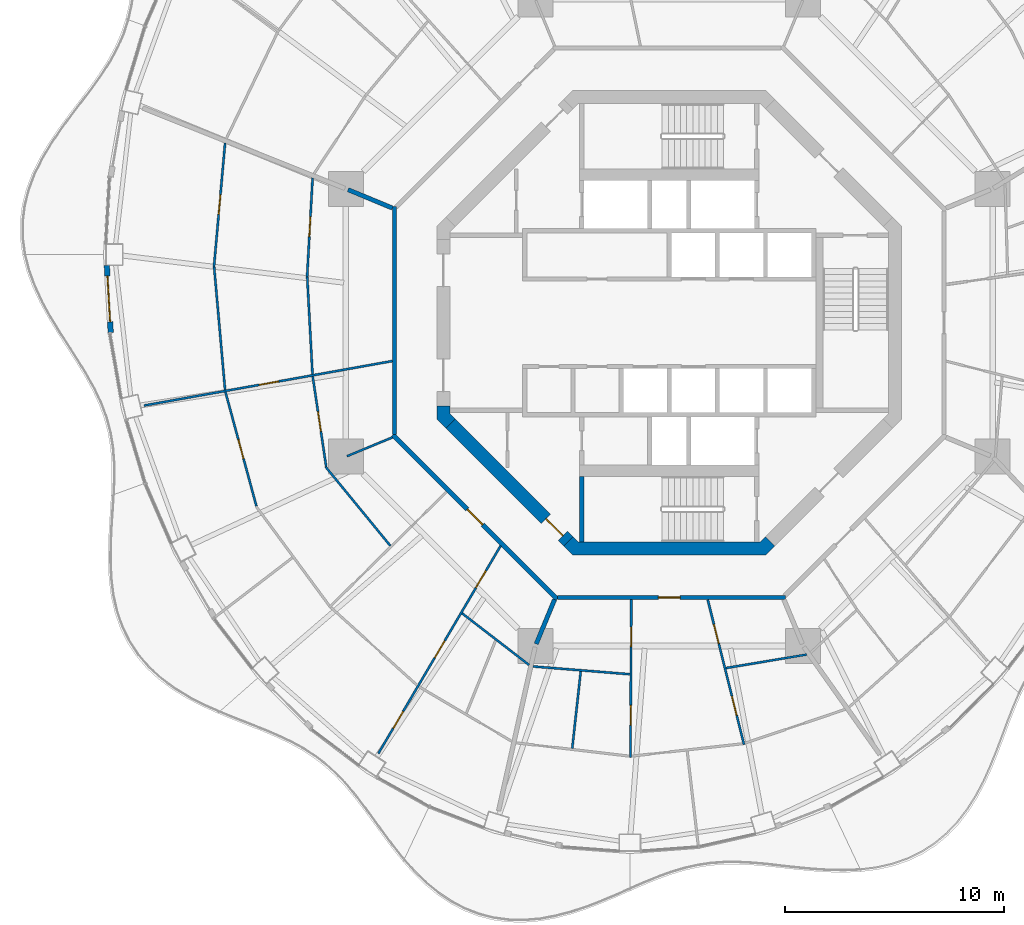
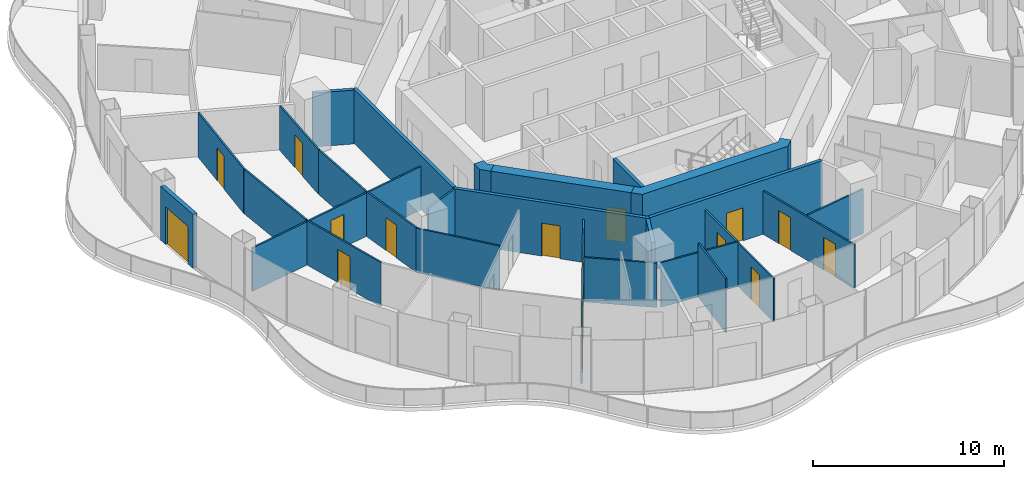
# One storey, part 10 of 18: 26 walls, 16 doors, 16 openings.
"""IFC4 building model written with IfcOpenShell, lengths in metres."""

from ifc_helpers import new_model, si_unit, direction, frame, frame_2d, origin, place, context, subcontext, project, spatial, polyline, rectangle, outline, extrude, material, layer, layer_set, type_object, element, fill, save


model = new_model("IFC4")

# Units and contexts
model_context = context("Model", 3, precision=1e-05, world=origin(), true_north=direction((0.0, 1.0)))
body_context = subcontext(model_context, "Body", "Model", "MODEL_VIEW")
ifc_project = project(units=[si_unit("LENGTHUNIT", "METRE"), si_unit("AREAUNIT", "SQUARE_METRE"), si_unit("VOLUMEUNIT", "CUBIC_METRE"), si_unit("PLANEANGLEUNIT", "RADIAN"), si_unit("MASSUNIT", "GRAM", prefix="KILO")], contexts=[model_context])

# Site, building, storey
site_placement = place(None, origin())
site = spatial("IfcSite", under=ifc_project, at=site_placement, CompositionType="ELEMENT")
building_placement = place(site_placement, origin())
building = spatial("IfcBuilding", under=site, at=building_placement, Name="Nagisa Residences", CompositionType="ELEMENT")
storey_placement = place(building_placement, frame((0.0, 0.0, 230.699951171875)))
storey = spatial("IfcBuildingStorey", under=building, at=storey_placement, Name="L58", CompositionType="ELEMENT", Elevation=230.699951171875)

# Walls
ifc_material_1 = material(Name="Gypsum board on steel studs", Category="steel")
ifc_layer_1 = layer(ifc_material_1, 0.199951171875)
ifc_layer_set_1 = layer_set([ifc_layer_1], Name="Apartment compartment wall EI60 200")
wall_type_1 = type_object("IfcWallType", Name="Apartment compartment wall EI60 200", PredefinedType="PARTITIONING", material=ifc_layer_set_1)
wall_1_placement = place(storey_placement, frame((-12.6572265625, 5.24267578125, 0.0), z_axis=(0.0, 0.0, 1.0), x_axis=(-0.923859888513, 0.38273085373, 0.0)))
element("IfcWall", 1, at=wall_1_placement, inside=storey, type_object=wall_type_1, Name="wall:L58:u02", PredefinedType="PARTITIONING", context=body_context, shape_type="SweptSolid", body=[
    extrude(rectangle(XDim=2.199462890625, YDim=0.199951171875, at=frame_2d((1.099609375, 0.0))), origin(), (0.0, 0.0, 1.0), 3.43994140625),
])
wall_2_placement = place(storey_placement, frame((-5.24267578125, -12.6572265625, 0.0), z_axis=(0.0, 0.0, 1.0), x_axis=(-0.382691608661, -0.923876145736, 0.0)))
element("IfcWall", 2, at=wall_2_placement, inside=storey, type_object=wall_type_1, Name="wall:L58:u04", PredefinedType="PARTITIONING", context=body_context, shape_type="SweptSolid", body=[
    extrude(rectangle(XDim=2.19970703125, YDim=0.199951171875, at=frame_2d((1.099853515625, 0.0))), origin(), (0.0, 0.0, 1.0), 3.43994140625),
])
ifc_material_2 = material(Name="Gypsum board on steel studs", Category="steel")
ifc_layer_2 = layer(ifc_material_2, 0.199951171875)
ifc_layer_set_2 = layer_set([ifc_layer_2], Name="Apartment entry wall EI60 200")
wall_type_2 = type_object("IfcWallType", Name="Apartment entry wall EI60 200", PredefinedType="PARTITIONING", material=ifc_layer_set_2)
wall_3_placement = place(storey_placement, frame((-12.564697265625, 5.304443359375, 0.0), z_axis=(0.0, 0.0, 1.0), x_axis=(0.0, -1.0, 0.0)))
element("IfcWall", 3, at=wall_3_placement, inside=storey, type_object=wall_type_2, Name="wall:L58:u14", PredefinedType="PARTITIONING", context=body_context, shape_type="SweptSolid", body=[
    extrude(rectangle(XDim=10.408935546875, YDim=0.199951171875, at=frame_2d((5.20458984375, 0.0))), origin(), (0.0, 0.0, 1.0), 3.43994140625),
])

# Wall, opening, door
wall_4_placement = place(storey_placement, frame((-12.635498046875, -5.1337890625, 0.0), z_axis=(0.0, 0.0, 1.0), x_axis=(0.707106781187, -0.707106781187, 0.0)))
wall_4 = element("IfcWall", 4, at=wall_4_placement, inside=storey, type_object=wall_type_2, Name="wall:L58:u15", PredefinedType="PARTITIONING", context=body_context, shape_type="SweptSolid", body=[
    extrude(rectangle(XDim=10.609130859375, YDim=0.199951171875, at=frame_2d((5.3046875, 0.0))), origin(), (0.0, 0.0, 1.0), 3.43994140625),
])
opening_1_placement = place(wall_4_placement, frame((4.804443359375, 0.0, 0.0)))
opening_1 = element("IfcOpeningElement", 5, at=opening_1_placement, cuts=wall_4, Name="Opening L58-U01", PredefinedType="OPENING", context=body_context, shape_type="SweptSolid", body=[
    extrude(rectangle(XDim=1.0, YDim=2.10009765625, at=frame_2d((0.5, 1.050048828125))), frame((0.0, 0.10986328125, 0.0), z_axis=(0.0, -1.0, 0.0), x_axis=(1.0, 0.0, 0.0)), (0.0, 0.0, 1.0), 0.219970703125),
])
ifc_material_3 = material(Name="Timber fire door set", Category="wood")
door_type_1 = type_object("IfcDoorType", Name="Apartment entry door FD30S 1000x2100", OperationType="NOTDEFINED", PredefinedType="DOOR", material=ifc_material_3)
door_1_placement = place(opening_1_placement, frame((1.0, 0.0, 0.0), x_axis=(-1.0, 0.0, 0.0)))
door_1 = element("IfcDoor", 6, at=door_1_placement, inside=storey, type_object=door_type_1, Name="Entry door, Apartment 58A", OperationType="SINGLE_SWING_RIGHT", OverallHeight=2.10009765625, OverallWidth=1.0, PredefinedType="DOOR", context=body_context, shape_type="SweptSolid", body=[
    extrude(rectangle(XDim=1.0, YDim=2.10009765625, at=frame_2d((0.5, 1.050048828125))), frame((0.0, 0.02490234375, 0.0), z_axis=(0.0, -1.0, 0.0), x_axis=(1.0, 0.0, 0.0)), (0.0, 0.0, 1.0), 0.050048828125),
])
fill(opening_1, door_1)

wall_5_placement = place(storey_placement, frame((-5.1044921875, -12.564697265625, 0.0), z_axis=(0.0, 0.0, 1.0), x_axis=(1.0, 0.0, 0.0)))
wall_5 = element("IfcWall", 7, at=wall_5_placement, inside=storey, type_object=wall_type_2, Name="wall:L58:u16", PredefinedType="PARTITIONING", context=body_context, shape_type="SweptSolid", body=[
    extrude(rectangle(XDim=10.408935546875, YDim=0.199951171875, at=frame_2d((5.20458984375, 0.0))), origin(), (0.0, 0.0, 1.0), 3.43994140625),
])
opening_2_placement = place(wall_5_placement, frame((4.6044921875, 0.0, 0.0)))
opening_2 = element("IfcOpeningElement", 8, at=opening_2_placement, cuts=wall_5, Name="Opening L58-U14", PredefinedType="OPENING", context=body_context, shape_type="SweptSolid", body=[
    extrude(rectangle(XDim=1.0, YDim=2.10009765625, at=frame_2d((0.5, 1.050048828125))), frame((0.0, 0.10986328125, 0.0), z_axis=(0.0, -1.0, 0.0), x_axis=(1.0, 0.0, 0.0)), (0.0, 0.0, 1.0), 0.219970703125),
])
door_2_placement = place(opening_2_placement, frame((1.0, 0.0, 0.0), x_axis=(-1.0, 0.0, 0.0)))
door_2 = element("IfcDoor", 9, at=door_2_placement, inside=storey, type_object=door_type_1, Name="Entry door, Apartment 58B", OperationType="SINGLE_SWING_LEFT", OverallHeight=2.10009765625, OverallWidth=1.0, PredefinedType="DOOR", context=body_context, shape_type="SweptSolid", body=[
    extrude(rectangle(XDim=1.0, YDim=2.10009765625, at=frame_2d((0.5, 1.050048828125))), frame((0.0, 0.02490234375, 0.0), z_axis=(0.0, -1.0, 0.0), x_axis=(1.0, 0.0, 0.0)), (0.0, 0.0, 1.0), 0.050048828125),
])
fill(opening_2, door_2)

ifc_material_4 = material(Name="Gypsum board on steel studs", Category="steel")
ifc_layer_3 = layer(ifc_material_4, 0.10009765625)
ifc_layer_set_3 = layer_set([ifc_layer_3], Name="Apartment partition 100")
wall_type_3 = type_object("IfcWallType", Name="Apartment partition 100", PredefinedType="PARTITIONING", material=ifc_layer_set_3)
wall_6_placement = place(storey_placement, frame((-16.306884765625, 6.62744140625, 0.0), z_axis=(0.0, 0.0, 1.0), x_axis=(-0.055616130958, -0.998452225185, 0.0)))
wall_6 = element("IfcWall", 10, at=wall_6_placement, inside=storey, type_object=wall_type_3, Name="wall:L58:u58", PredefinedType="PARTITIONING", context=body_context, shape_type="SweptSolid", body=[
    extrude(rectangle(XDim=4.53466796875, YDim=0.10009765625, at=frame_2d((2.267333984375, 0.0))), origin(), (0.0, 0.0, 1.0), 2.837158203125),
])
opening_3_placement = place(wall_6_placement, frame((1.792236328125, 0.0, 0.0)))
opening_3 = element("IfcOpeningElement", 11, at=opening_3_placement, cuts=wall_6, Name="Opening L58-U13", PredefinedType="OPENING", context=body_context, shape_type="SweptSolid", body=[
    extrude(rectangle(XDim=0.89990234375, YDim=2.10009765625, at=frame_2d((0.449951171875, 1.050048828125))), frame((0.0, 0.06005859375, 0.0), z_axis=(0.0, -1.0, 0.0), x_axis=(1.0, 0.0, 0.0)), (0.0, 0.0, 1.0), 0.1201171875),
])
ifc_material_5 = material(Name="Timber door set", Category="wood")
door_type_2 = type_object("IfcDoorType", Name="Apartment door 900x2100", OperationType="NOTDEFINED", PredefinedType="DOOR", material=ifc_material_5)
door_3_placement = place(opening_3_placement, origin())
door_3 = element("IfcDoor", 12, at=door_3_placement, inside=storey, type_object=door_type_2, Name="Door to store, Apartment 58A", OperationType="SINGLE_SWING_LEFT", OverallHeight=2.10009765625, OverallWidth=0.89990234375, PredefinedType="DOOR", context=body_context, shape_type="SweptSolid", body=[
    extrude(rectangle(XDim=0.89990234375, YDim=2.10009765625, at=frame_2d((0.449951171875, 1.050048828125))), frame((0.0, 0.02490234375, 0.0), z_axis=(0.0, -1.0, 0.0), x_axis=(1.0, 0.0, 0.0)), (0.0, 0.0, 1.0), 0.050048828125),
])
fill(opening_3, door_3)

wall_7_placement = place(storey_placement, frame((-20.3095703125, 8.21826171875, 0.0), z_axis=(0.0, 0.0, 1.0), x_axis=(-0.089284106956, -0.996006198899, 0.0)))
wall_7 = element("IfcWall", 13, at=wall_7_placement, inside=storey, type_object=wall_type_3, Name="wall:L58:u59", PredefinedType="PARTITIONING", context=body_context, shape_type="SweptSolid", body=[
    extrude(rectangle(XDim=5.698486328125, YDim=0.10009765625, at=frame_2d((2.84912109375, 0.0))), origin(), (0.0, 0.0, 1.0), 2.837158203125),
])
opening_4_placement = place(wall_7_placement, frame((2.374267578125, 0.0, 0.0)))
opening_4 = element("IfcOpeningElement", 14, at=opening_4_placement, cuts=wall_7, Name="Opening L58-U12", PredefinedType="OPENING", context=body_context, shape_type="SweptSolid", body=[
    extrude(rectangle(XDim=0.89990234375, YDim=2.10009765625, at=frame_2d((0.449951171875, 1.050048828125))), frame((0.0, 0.06005859375, 0.0), z_axis=(0.0, -1.0, 0.0), x_axis=(1.0, 0.0, 0.0)), (0.0, 0.0, 1.0), 0.1201171875),
])
door_4_placement = place(opening_4_placement, frame((0.89990234375, 0.0, 0.0), x_axis=(-1.0, 0.0, 0.0)))
door_4 = element("IfcDoor", 15, at=door_4_placement, inside=storey, type_object=door_type_2, Name="Door to family room, Apartment 58A", OperationType="SINGLE_SWING_LEFT", OverallHeight=2.10009765625, OverallWidth=0.89990234375, PredefinedType="DOOR", context=body_context, shape_type="SweptSolid", body=[
    extrude(rectangle(XDim=0.89990234375, YDim=2.10009765625, at=frame_2d((0.449951171875, 1.050048828125))), frame((0.0, 0.02490234375, 0.0), z_axis=(0.0, -1.0, 0.0), x_axis=(1.0, 0.0, 0.0)), (0.0, 0.0, 1.0), 0.050048828125),
])
fill(opening_4, door_4)

# Walls
wall_8_placement = place(storey_placement, frame((-16.5537109375, 2.099853515625, 0.0), z_axis=(0.0, 0.0, 1.0), x_axis=(0.053945770239, -0.998543866775, 0.0)))
element("IfcWall", 16, at=wall_8_placement, inside=storey, type_object=wall_type_3, Name="wall:L58:u60", PredefinedType="PARTITIONING", context=body_context, shape_type="SweptSolid", body=[
    extrude(rectangle(XDim=4.46240234375, YDim=0.10009765625, at=frame_2d((2.231201171875, 0.0))), origin(), (0.0, 0.0, 1.0), 2.837158203125),
])
wall_9_placement = place(storey_placement, frame((-20.8095703125, 2.54248046875, 0.0), z_axis=(0.0, 0.0, 1.0), x_axis=(0.088621920298, -0.996065336834, 0.0)))
element("IfcWall", 17, at=wall_9_placement, inside=storey, type_object=wall_type_3, Name="wall:L58:u61", PredefinedType="PARTITIONING", context=body_context, shape_type="SweptSolid", body=[
    extrude(rectangle(XDim=5.636474609375, YDim=0.10009765625, at=frame_2d((2.818359375, 0.0))), origin(), (0.0, 0.0, 1.0), 2.837158203125),
])

# Wall, opening, door
wall_10_placement = place(storey_placement, frame((-12.6630859375, -1.75244140625, 0.0), z_axis=(0.0, 0.0, 1.0), x_axis=(-0.98433012022, -0.176335516635, 0.0)))
wall_10 = element("IfcWall", 18, at=wall_10_placement, inside=storey, type_object=wall_type_3, Name="wall:L58:u62", PredefinedType="PARTITIONING", context=body_context, shape_type="SweptSolid", body=[
    extrude(rectangle(XDim=11.537353515625, YDim=0.10009765625, at=frame_2d((5.7685546875, 0.0))), origin(), (0.0, 0.0, 1.0), 2.761962890625),
])
opening_5_placement = place(wall_10_placement, frame((5.28466796875, 0.0, 0.0)))
opening_5 = element("IfcOpeningElement", 19, at=opening_5_placement, cuts=wall_10, Name="Opening L58-U10", PredefinedType="OPENING", context=body_context, shape_type="SweptSolid", body=[
    extrude(rectangle(XDim=0.89990234375, YDim=2.10009765625, at=frame_2d((0.449951171875, 1.050048828125))), frame((0.0, 0.06005859375, 0.0), z_axis=(0.0, -1.0, 0.0), x_axis=(1.0, 0.0, 0.0)), (0.0, 0.0, 1.0), 0.1201171875),
])
door_5_placement = place(opening_5_placement, frame((0.89990234375, 0.0, 0.0), x_axis=(-1.0, 0.0, 0.0)))
door_5 = element("IfcDoor", 20, at=door_5_placement, inside=storey, type_object=door_type_2, Name="Door to kitchen, Apartment 58A", OperationType="SINGLE_SWING_LEFT", OverallHeight=2.10009765625, OverallWidth=0.89990234375, PredefinedType="DOOR", context=body_context, shape_type="SweptSolid", body=[
    extrude(rectangle(XDim=0.89990234375, YDim=2.10009765625, at=frame_2d((0.449951171875, 1.050048828125))), frame((0.0, 0.02490234375, 0.0), z_axis=(0.0, -1.0, 0.0), x_axis=(1.0, 0.0, 0.0)), (0.0, 0.0, 1.0), 0.050048828125),
])
fill(opening_5, door_5)

wall_11_placement = place(storey_placement, frame((-16.302978515625, -2.455322265625, 0.0), z_axis=(0.0, 0.0, 1.0), x_axis=(0.14769374353, -0.989033143086, 0.0)))
wall_11 = element("IfcWall", 21, at=wall_11_placement, inside=storey, type_object=wall_type_3, Name="wall:L58:u63", PredefinedType="PARTITIONING", context=body_context, shape_type="SweptSolid", body=[
    extrude(rectangle(XDim=4.172119140625, YDim=0.10009765625, at=frame_2d((2.0859375, 0.0))), origin(), (0.0, 0.0, 1.0), 2.837158203125),
])
opening_6_placement = place(wall_11_placement, frame((1.635986328125, 0.0, 0.0)))
opening_6 = element("IfcOpeningElement", 22, at=opening_6_placement, cuts=wall_11, Name="Opening L58-U09", PredefinedType="OPENING", context=body_context, shape_type="SweptSolid", body=[
    extrude(rectangle(XDim=0.89990234375, YDim=2.10009765625, at=frame_2d((0.449951171875, 1.050048828125))), frame((0.0, 0.06005859375, 0.0), z_axis=(0.0, -1.0, 0.0), x_axis=(1.0, 0.0, 0.0)), (0.0, 0.0, 1.0), 0.1201171875),
])
door_6_placement = place(opening_6_placement, origin())
door_6 = element("IfcDoor", 23, at=door_6_placement, inside=storey, type_object=door_type_2, Name="Door to laundry, Apartment 58A", OperationType="SINGLE_SWING_LEFT", OverallHeight=2.10009765625, OverallWidth=0.89990234375, PredefinedType="DOOR", context=body_context, shape_type="SweptSolid", body=[
    extrude(rectangle(XDim=0.89990234375, YDim=2.10009765625, at=frame_2d((0.449951171875, 1.050048828125))), frame((0.0, 0.02490234375, 0.0), z_axis=(0.0, -1.0, 0.0), x_axis=(1.0, 0.0, 0.0)), (0.0, 0.0, 1.0), 0.050048828125),
])
fill(opening_6, door_6)

wall_12_placement = place(storey_placement, frame((-20.29248046875, -3.169677734375, 0.0), z_axis=(0.0, 0.0, 1.0), x_axis=(0.261890541964, -0.965097582646, 0.0)))
wall_12 = element("IfcWall", 24, at=wall_12_placement, inside=storey, type_object=wall_type_3, Name="wall:L58:u64", PredefinedType="PARTITIONING", context=body_context, shape_type="SweptSolid", body=[
    extrude(rectangle(XDim=5.406005859375, YDim=0.10009765625, at=frame_2d((2.703125, 0.0))), origin(), (0.0, 0.0, 1.0), 2.837158203125),
])
opening_7_placement = place(wall_12_placement, frame((2.2529296875, 0.0, 0.0)))
opening_7 = element("IfcOpeningElement", 25, at=opening_7_placement, cuts=wall_12, Name="Opening L58-U06", PredefinedType="OPENING", context=body_context, shape_type="SweptSolid", body=[
    extrude(rectangle(XDim=0.89990234375, YDim=2.10009765625, at=frame_2d((0.449951171875, 1.050048828125))), frame((0.0, 0.06005859375, 0.0), z_axis=(0.0, -1.0, 0.0), x_axis=(1.0, 0.0, 0.0)), (0.0, 0.0, 1.0), 0.1201171875),
])
door_7_placement = place(opening_7_placement, frame((0.89990234375, 0.0, 0.0), x_axis=(-1.0, 0.0, 0.0)))
door_7 = element("IfcDoor", 26, at=door_7_placement, inside=storey, type_object=door_type_2, Name="Door to master bedroom, Apartment 58A", OperationType="SINGLE_SWING_LEFT", OverallHeight=2.10009765625, OverallWidth=0.89990234375, PredefinedType="DOOR", context=body_context, shape_type="SweptSolid", body=[
    extrude(rectangle(XDim=0.89990234375, YDim=2.10009765625, at=frame_2d((0.449951171875, 1.050048828125))), frame((0.0, 0.02490234375, 0.0), z_axis=(0.0, -1.0, 0.0), x_axis=(1.0, 0.0, 0.0)), (0.0, 0.0, 1.0), 0.050048828125),
])
fill(opening_7, door_7)

# Walls
wall_13_placement = place(storey_placement, frame((-12.6572265625, -5.24267578125, 0.0), z_axis=(0.0, 0.0, 1.0), x_axis=(-0.923864733477, -0.382719158442, 0.0)))
element("IfcWall", 27, at=wall_13_placement, inside=storey, type_object=wall_type_3, Name="wall:L58:u65", PredefinedType="PARTITIONING", context=body_context, shape_type="SweptSolid", body=[
    extrude(rectangle(XDim=2.25, YDim=0.10009765625, at=frame_2d((1.125, 0.0))), origin(), (0.0, 0.0, 1.0), 3.43994140625),
])
wall_14_placement = place(storey_placement, frame((-15.7109375, -6.592529296875, 0.0), z_axis=(0.0, 0.0, 1.0), x_axis=(0.634058916642, -0.773284740718, 0.0)))
element("IfcWall", 28, at=wall_14_placement, inside=storey, type_object=wall_type_3, Name="wall:L58:u66", PredefinedType="PARTITIONING", context=body_context, shape_type="SweptSolid", body=[
    extrude(rectangle(XDim=4.660888671875, YDim=0.10009765625, at=frame_2d((2.33056640625, 0.0))), origin(), (0.0, 0.0, 1.0), 2.837158203125),
])

# Wall, openings, doors
wall_15_placement = place(storey_placement, frame((-7.708740234375, -10.197509765625, 0.0), z_axis=(0.0, 0.0, 1.0), x_axis=(-0.507355901053, -0.8617366127, 0.0)))
wall_15 = element("IfcWall", 29, at=wall_15_placement, inside=storey, type_object=wall_type_3, Name="wall:L58:u71", PredefinedType="PARTITIONING", context=body_context, shape_type="SweptSolid", body=[
    extrude(rectangle(XDim=11.02490234375, YDim=0.10009765625, at=frame_2d((5.512451171875, 0.0))), origin(), (0.0, 0.0, 1.0), 2.761962890625),
])
opening_8_placement = place(wall_15_placement, frame((1.326171875, 0.0, 0.0)))
opening_8 = element("IfcOpeningElement", 30, at=opening_8_placement, cuts=wall_15, Name="Opening L58-U03", PredefinedType="OPENING", context=body_context, shape_type="SweptSolid", body=[
    extrude(rectangle(XDim=0.89990234375, YDim=2.10009765625, at=frame_2d((0.449951171875, 1.050048828125))), frame((0.0, 0.06005859375, 0.0), z_axis=(0.0, -1.0, 0.0), x_axis=(1.0, 0.0, 0.0)), (0.0, 0.0, 1.0), 0.1201171875),
])
opening_9_placement = place(wall_15_placement, frame((5.05029296875, 0.0, 0.0)))
opening_9 = element("IfcOpeningElement", 31, at=opening_9_placement, cuts=wall_15, Name="Opening L58-U05", PredefinedType="OPENING", context=body_context, shape_type="SweptSolid", body=[
    extrude(rectangle(XDim=0.89990234375, YDim=2.10009765625, at=frame_2d((0.449951171875, 1.050048828125))), frame((0.0, 0.06005859375, 0.0), z_axis=(0.0, -1.0, 0.0), x_axis=(1.0, 0.0, 0.0)), (0.0, 0.0, 1.0), 0.1201171875),
])
opening_10_placement = place(wall_15_placement, frame((8.78662109375, 0.0, 0.0)))
opening_10 = element("IfcOpeningElement", 32, at=opening_10_placement, cuts=wall_15, Name="Opening L58-U08", PredefinedType="OPENING", context=body_context, shape_type="SweptSolid", body=[
    extrude(rectangle(XDim=0.89990234375, YDim=2.10009765625, at=frame_2d((0.449951171875, 1.050048828125))), frame((0.0, 0.06005859375, 0.0), z_axis=(0.0, -1.0, 0.0), x_axis=(1.0, 0.0, 0.0)), (0.0, 0.0, 1.0), 0.1201171875),
])
door_8_placement = place(opening_8_placement, origin())
door_8 = element("IfcDoor", 33, at=door_8_placement, inside=storey, type_object=door_type_2, Name="Door to family bathroom, Apartment 58A", OperationType="SINGLE_SWING_LEFT", OverallHeight=2.10009765625, OverallWidth=0.89990234375, PredefinedType="DOOR", context=body_context, shape_type="SweptSolid", body=[
    extrude(rectangle(XDim=0.89990234375, YDim=2.10009765625, at=frame_2d((0.449951171875, 1.050048828125))), frame((0.0, 0.02490234375, 0.0), z_axis=(0.0, -1.0, 0.0), x_axis=(1.0, 0.0, 0.0)), (0.0, 0.0, 1.0), 0.050048828125),
])
fill(opening_8, door_8)
door_9_placement = place(opening_9_placement, origin())
door_9 = element("IfcDoor", 34, at=door_9_placement, inside=storey, type_object=door_type_2, Name="Door to family bathroom, Apartment 58A", OperationType="SINGLE_SWING_LEFT", OverallHeight=2.10009765625, OverallWidth=0.89990234375, PredefinedType="DOOR", context=body_context, shape_type="SweptSolid", body=[
    extrude(rectangle(XDim=0.89990234375, YDim=2.10009765625, at=frame_2d((0.449951171875, 1.050048828125))), frame((0.0, 0.02490234375, 0.0), z_axis=(0.0, -1.0, 0.0), x_axis=(1.0, 0.0, 0.0)), (0.0, 0.0, 1.0), 0.050048828125),
])
fill(opening_9, door_9)
door_10_placement = place(opening_10_placement, origin())
door_10 = element("IfcDoor", 35, at=door_10_placement, inside=storey, type_object=door_type_2, Name="Door to bedroom, Apartment 58A", OperationType="SINGLE_SWING_RIGHT", OverallHeight=2.10009765625, OverallWidth=0.89990234375, PredefinedType="DOOR", context=body_context, shape_type="SweptSolid", body=[
    extrude(rectangle(XDim=0.89990234375, YDim=2.10009765625, at=frame_2d((0.449951171875, 1.050048828125))), frame((0.0, 0.02490234375, 0.0), z_axis=(0.0, -1.0, 0.0), x_axis=(1.0, 0.0, 0.0)), (0.0, 0.0, 1.0), 0.050048828125),
])
fill(opening_10, door_10)

# Walls
wall_16_placement = place(storey_placement, frame((-9.471435546875, -13.289306640625, 0.0), z_axis=(0.0, 0.0, 1.0), x_axis=(0.792227074489, -0.610226402614, 0.0)))
element("IfcWall", 36, at=wall_16_placement, inside=storey, type_object=wall_type_3, Name="wall:L58:u72", PredefinedType="PARTITIONING", context=body_context, shape_type="SweptSolid", body=[
    extrude(rectangle(XDim=3.865966796875, YDim=0.10009765625, at=frame_2d((1.93310546875, 0.0))), origin(), (0.0, 0.0, 1.0), 2.837158203125),
])
wall_17_placement = place(storey_placement, frame((-6.22998046875, -15.71728515625, 0.0), z_axis=(0.0, 0.0, 1.0), x_axis=(0.996785662802, -0.080114558181, 0.0)))
element("IfcWall", 37, at=wall_17_placement, inside=storey, type_object=wall_type_3, Name="wall:L58:u75", PredefinedType="PARTITIONING", context=body_context, shape_type="SweptSolid", body=[
    extrude(rectangle(XDim=4.43994140625, YDim=0.10009765625, at=frame_2d((2.219970703125, 0.0))), origin(), (0.0, 0.0, 1.0), 2.837158203125),
])
wall_18_placement = place(storey_placement, frame((-4.04736328125, -15.94287109375, 0.0), z_axis=(0.0, 0.0, 1.0), x_axis=(-0.109681942509, -0.993966735604, 0.0)))
element("IfcWall", 38, at=wall_18_placement, inside=storey, type_object=wall_type_3, Name="wall:L58:u77", PredefinedType="PARTITIONING", context=body_context, shape_type="SweptSolid", body=[
    extrude(rectangle(XDim=3.5390625, YDim=0.10009765625, at=frame_2d((1.76953125, 0.0))), origin(), (0.0, 0.0, 1.0), 3.43994140625),
])

# Wall, openings, doors
wall_19_placement = place(storey_placement, frame((-1.7353515625, -12.664794921875, 0.0), z_axis=(0.0, 0.0, 1.0), x_axis=(-0.005554152823, -0.999984575574, 0.0)))
wall_19 = element("IfcWall", 39, at=wall_19_placement, inside=storey, type_object=wall_type_3, Name="wall:L58:u78", PredefinedType="PARTITIONING", context=body_context, shape_type="SweptSolid", body=[
    extrude(rectangle(XDim=7.208740234375, YDim=0.10009765625, at=frame_2d((3.6044921875, 0.0))), origin(), (0.0, 0.0, 1.0), 2.761962890625),
])
opening_11_placement = place(wall_19_placement, frame((1.256103515625, 0.0, 0.0)))
opening_11 = element("IfcOpeningElement", 40, at=opening_11_placement, cuts=wall_19, Name="Opening L58-U15", PredefinedType="OPENING", context=body_context, shape_type="SweptSolid", body=[
    extrude(rectangle(XDim=0.89990234375, YDim=2.10009765625, at=frame_2d((0.449951171875, 1.050048828125))), frame((0.0, 0.06005859375, 0.0), z_axis=(0.0, -1.0, 0.0), x_axis=(1.0, 0.0, 0.0)), (0.0, 0.0, 1.0), 0.1201171875),
])
opening_12_placement = place(wall_19_placement, frame((4.835693359375, 0.0, 0.0)))
opening_12 = element("IfcOpeningElement", 41, at=opening_12_placement, cuts=wall_19, Name="Opening L58-U17", PredefinedType="OPENING", context=body_context, shape_type="SweptSolid", body=[
    extrude(rectangle(XDim=0.89990234375, YDim=2.10009765625, at=frame_2d((0.449951171875, 1.050048828125))), frame((0.0, 0.06005859375, 0.0), z_axis=(0.0, -1.0, 0.0), x_axis=(1.0, 0.0, 0.0)), (0.0, 0.0, 1.0), 0.1201171875),
])
door_11_placement = place(opening_11_placement, frame((0.89990234375, 0.0, 0.0), x_axis=(-1.0, 0.0, 0.0)))
door_11 = element("IfcDoor", 42, at=door_11_placement, inside=storey, type_object=door_type_2, Name="Door to family bathroom, Apartment 58B", OperationType="SINGLE_SWING_RIGHT", OverallHeight=2.10009765625, OverallWidth=0.89990234375, PredefinedType="DOOR", context=body_context, shape_type="SweptSolid", body=[
    extrude(rectangle(XDim=0.89990234375, YDim=2.10009765625, at=frame_2d((0.449951171875, 1.050048828125))), frame((0.0, 0.02490234375, 0.0), z_axis=(0.0, -1.0, 0.0), x_axis=(1.0, 0.0, 0.0)), (0.0, 0.0, 1.0), 0.050048828125),
])
fill(opening_11, door_11)
door_12_placement = place(opening_12_placement, frame((0.89990234375, 0.0, 0.0), x_axis=(-1.0, 0.0, 0.0)))
door_12 = element("IfcDoor", 43, at=door_12_placement, inside=storey, type_object=door_type_2, Name="Door to family bathroom, Apartment 58B", OperationType="SINGLE_SWING_RIGHT", OverallHeight=2.10009765625, OverallWidth=0.89990234375, PredefinedType="DOOR", context=body_context, shape_type="SweptSolid", body=[
    extrude(rectangle(XDim=0.89990234375, YDim=2.10009765625, at=frame_2d((0.449951171875, 1.050048828125))), frame((0.0, 0.02490234375, 0.0), z_axis=(0.0, -1.0, 0.0), x_axis=(1.0, 0.0, 0.0)), (0.0, 0.0, 1.0), 0.050048828125),
])
fill(opening_12, door_12)

wall_20_placement = place(storey_placement, frame((1.759033203125, -12.661865234375, 0.0), z_axis=(0.0, 0.0, 1.0), x_axis=(0.242653275363, -0.970113079984, 0.0)))
wall_20 = element("IfcWall", 44, at=wall_20_placement, inside=storey, type_object=wall_type_3, Name="wall:L58:u81", PredefinedType="PARTITIONING", context=body_context, shape_type="SweptSolid", body=[
    extrude(rectangle(XDim=6.835693359375, YDim=0.10009765625, at=frame_2d((3.41796875, 0.0))), origin(), (0.0, 0.0, 1.0), 2.761962890625),
])
opening_13_placement = place(wall_20_placement, frame((1.166015625, 0.0, 0.0)))
opening_13 = element("IfcOpeningElement", 45, at=opening_13_placement, cuts=wall_20, Name="Opening L58-U16", PredefinedType="OPENING", context=body_context, shape_type="SweptSolid", body=[
    extrude(rectangle(XDim=0.89990234375, YDim=2.10009765625, at=frame_2d((0.449951171875, 1.050048828125))), frame((0.0, 0.06005859375, 0.0), z_axis=(0.0, -1.0, 0.0), x_axis=(1.0, 0.0, 0.0)), (0.0, 0.0, 1.0), 0.1201171875),
])
opening_14_placement = place(wall_20_placement, frame((4.558837890625, 0.0, 0.0)))
opening_14 = element("IfcOpeningElement", 46, at=opening_14_placement, cuts=wall_20, Name="Opening L58-U18", PredefinedType="OPENING", context=body_context, shape_type="SweptSolid", body=[
    extrude(rectangle(XDim=0.89990234375, YDim=2.10009765625, at=frame_2d((0.449951171875, 1.050048828125))), frame((0.0, 0.06005859375, 0.0), z_axis=(0.0, -1.0, 0.0), x_axis=(1.0, 0.0, 0.0)), (0.0, 0.0, 1.0), 0.1201171875),
])
door_13_placement = place(opening_13_placement, origin())
door_13 = element("IfcDoor", 47, at=door_13_placement, inside=storey, type_object=door_type_2, Name="Door to store, Apartment 58B", OperationType="SINGLE_SWING_RIGHT", OverallHeight=2.10009765625, OverallWidth=0.89990234375, PredefinedType="DOOR", context=body_context, shape_type="SweptSolid", body=[
    extrude(rectangle(XDim=0.89990234375, YDim=2.10009765625, at=frame_2d((0.449951171875, 1.050048828125))), frame((0.0, 0.02490234375, 0.0), z_axis=(0.0, -1.0, 0.0), x_axis=(1.0, 0.0, 0.0)), (0.0, 0.0, 1.0), 0.050048828125),
])
fill(opening_13, door_13)
door_14_placement = place(opening_14_placement, origin())
door_14 = element("IfcDoor", 48, at=door_14_placement, inside=storey, type_object=door_type_2, Name="Door to kitchen, Apartment 58B", OperationType="SINGLE_SWING_RIGHT", OverallHeight=2.10009765625, OverallWidth=0.89990234375, PredefinedType="DOOR", context=body_context, shape_type="SweptSolid", body=[
    extrude(rectangle(XDim=0.89990234375, YDim=2.10009765625, at=frame_2d((0.449951171875, 1.050048828125))), frame((0.0, 0.02490234375, 0.0), z_axis=(0.0, -1.0, 0.0), x_axis=(1.0, 0.0, 0.0)), (0.0, 0.0, 1.0), 0.050048828125),
])
fill(opening_14, door_14)

# Wall
wall_21_placement = place(storey_placement, frame((2.592529296875, -15.788818359375, 0.0), z_axis=(0.0, 0.0, 1.0), x_axis=(0.986385117656, 0.164451815639, 0.0)))
element("IfcWall", 49, at=wall_21_placement, inside=storey, type_object=wall_type_3, Name="wall:L58:u82", PredefinedType="PARTITIONING", context=body_context, shape_type="SweptSolid", body=[
    extrude(rectangle(XDim=3.7470703125, YDim=0.10009765625, at=frame_2d((1.87353515625, 0.0))), origin(), (0.0, 0.0, 1.0), 2.837158203125),
])

# Wall, opening, door
ifc_material_6 = material(Name="Precast concrete C40/50", Category="concrete")
ifc_layer_4 = layer(ifc_material_6, 0.25)
ifc_layer_set_4 = layer_set([ifc_layer_4], Name="BALCONY DOOR WALL 250")
wall_type_4 = type_object("IfcWallType", Name="BALCONY DOOR WALL 250", PredefinedType="SOLIDWALL", material=ifc_layer_set_4)
wall_22_placement = place(storey_placement, frame((-25.539306640625, -0.4501953125, 0.0), z_axis=(0.0, 0.0, 1.0), x_axis=(-0.057528189427, 0.998343882348, 0.0)))
wall_22 = element("IfcWall", 50, at=wall_22_placement, inside=storey, type_object=wall_type_4, Name="wall:L58:bay24", PredefinedType="SOLIDWALL", context=body_context, shape_type="SweptSolid", body=[
    extrude(rectangle(XDim=3.0810546875, YDim=0.25, at=frame_2d((1.54052734375, 0.0))), origin(), (0.0, 0.0, 1.0), 3.43994140625),
])
opening_15_placement = place(wall_22_placement, frame((0.490478515625, 0.0, 0.0)))
opening_15 = element("IfcOpeningElement", 51, at=opening_15_placement, cuts=wall_22, Name="Opening BD-L58-09", PredefinedType="OPENING", context=body_context, shape_type="SweptSolid", body=[
    extrude(rectangle(XDim=2.10009765625, YDim=2.39990234375, at=frame_2d((1.050048828125, 1.199951171875))), frame((0.0, 0.135009765625, 0.0), z_axis=(0.0, -1.0, 0.0), x_axis=(1.0, 0.0, 0.0)), (0.0, 0.0, 1.0), 0.27001953125),
])
ifc_material_7 = material(Name="Aluminium and clear glass", Category="aluminium")
door_type_3 = type_object("IfcDoorType", Name="BALCONY SLIDING DOOR 2100x2400", OperationType="SLIDING_TO_LEFT", PredefinedType="DOOR", material=ifc_material_7)
door_15_placement = place(opening_15_placement, origin())
door_15 = element("IfcDoor", 52, at=door_15_placement, inside=storey, type_object=door_type_3, Name="door:L58:bay24", OperationType="SLIDING_TO_LEFT", OverallHeight=2.39990234375, OverallWidth=2.10009765625, PredefinedType="DOOR", context=body_context, shape_type="SweptSolid", body=[
    extrude(rectangle(XDim=2.10009765625, YDim=2.39990234375, at=frame_2d((1.050048828125, 1.199951171875))), frame((0.0, 0.02490234375, 0.0), z_axis=(0.0, -1.0, 0.0), x_axis=(1.0, 0.0, 0.0)), (0.0, 0.0, 1.0), 0.050048828125),
])
fill(opening_15, door_15)

ifc_material_8 = material(Name="Concrete C60", Category="concrete")
ifc_layer_5 = layer(ifc_material_8, 0.60009765625)
ifc_layer_set_5 = layer_set([ifc_layer_5], Name="Core shear wall 600")
wall_type_5 = type_object("IfcWallType", Name="Core shear wall 600", PredefinedType="SHEAR", material=ifc_layer_set_5)
wall_23_placement = place(storey_placement, frame((-9.98828125, -4.613037109375, 0.0), z_axis=(0.0, 0.0, 1.0), x_axis=(0.707106781187, -0.707106781187, 0.0)))
wall_23 = element("IfcWall", 53, at=wall_23_placement, inside=storey, type_object=wall_type_5, Name="wall:L58:core:flat5", PredefinedType="SHEAR", context=body_context, shape_type="SweptSolid", body=[
    extrude(rectangle(XDim=7.601806640625, YDim=0.60009765625, at=frame_2d((3.80078125, 0.0))), origin(), (0.0, 0.0, 1.0), 3.43994140625),
])
opening_16_placement = place(wall_23_placement, frame((6.15087890625, 0.0, 0.0)))
opening_16 = element("IfcOpeningElement", 54, at=opening_16_placement, cuts=wall_23, Name="Opening L58-C22", PredefinedType="OPENING", context=body_context, shape_type="SweptSolid", body=[
    extrude(rectangle(XDim=1.10009765625, YDim=2.10009765625, at=frame_2d((0.550048828125, 1.050048828125))), frame((0.0, 0.31005859375, 0.0), z_axis=(0.0, -1.0, 0.0), x_axis=(1.0, 0.0, 0.0)), (0.0, 0.0, 1.0), 0.6201171875),
])
ifc_material_9 = material(Name="Steel fire door", Category="steel")
door_type_4 = type_object("IfcDoorType", Name="Fire door EI60 1100x2100 single swing", OperationType="NOTDEFINED", PredefinedType="DOOR", material=ifc_material_9)
door_16_placement = place(opening_16_placement, origin())
door_16 = element("IfcDoor", 55, at=door_16_placement, inside=storey, type_object=door_type_4, Name="Housekeeping lobby door L58", OperationType="SINGLE_SWING_LEFT", OverallHeight=2.10009765625, OverallWidth=1.10009765625, PredefinedType="DOOR", context=body_context, shape_type="SweptSolid", body=[
    extrude(rectangle(XDim=1.10009765625, YDim=2.10009765625, at=frame_2d((0.550048828125, 1.050048828125))), frame((0.0, 0.02490234375, 0.0), z_axis=(0.0, -1.0, 0.0), x_axis=(1.0, 0.0, 0.0)), (0.0, 0.0, 1.0), 0.050048828125),
])
fill(opening_16, door_16)

# Walls
wall_24_placement = place(storey_placement, origin())
element("IfcWall", 56, at=wall_24_placement, inside=storey, type_object=wall_type_5, Name="wall:L58:core:pier4", PredefinedType="SHEAR", context=body_context, shape_type="SweptSolid", body=[
    extrude(outline(polyline([(-10.62451171875, -3.80078125), (-10.024658203125, -3.80078125), (-10.024658203125, -4.15234375), (-9.776123046875, -4.40087890625), (-10.200439453125, -4.8251953125), (-10.62451171875, -4.40087890625), (-10.62451171875, -3.80078125)])), origin(), (0.0, 0.0, 1.0), 3.43994140625),
])
wall_25_placement = place(storey_placement, origin())
element("IfcWall", 57, at=wall_25_placement, inside=storey, type_object=wall_type_5, Name="wall:L58:core:flat6", PredefinedType="SHEAR", context=body_context, shape_type="SweptSolid", body=[
    extrude(outline(polyline([(-4.15234375, -10.024658203125), (4.15234375, -10.024658203125), (4.40087890625, -9.776123046875), (4.8251953125, -10.200439453125), (4.40087890625, -10.62451171875), (-4.40087890625, -10.62451171875), (-4.8251953125, -10.200439453125), (-4.40087890625, -9.776123046875), (-4.15234375, -10.024658203125)])), origin(), (0.0, 0.0, 1.0), 3.43994140625),
])
ifc_material_10 = material(Name="Concrete C60", Category="concrete")
ifc_layer_6 = layer(ifc_material_10, 0.199951171875)
ifc_layer_set_6 = layer_set([ifc_layer_6], Name="Stair enclosure wall 200")
wall_type_6 = type_object("IfcWallType", Name="Stair enclosure wall 200", PredefinedType="SOLIDWALL", material=ifc_layer_set_6)
wall_26_placement = place(storey_placement, origin())
element("IfcWall", 58, at=wall_26_placement, inside=storey, type_object=wall_type_6, Name="wall:L58:SS_w", PredefinedType="SOLIDWALL", context=body_context, shape_type="SweptSolid", body=[
    extrude(outline(polyline([(-3.89990234375, -10.024658203125), (-4.10009765625, -10.024658203125), (-4.10009765625, -7.024658203125), (-3.89990234375, -7.024658203125), (-3.89990234375, -10.024658203125)])), origin(), (0.0, 0.0, 1.0), 3.43994140625),
])

save(model, "model.ifc")
